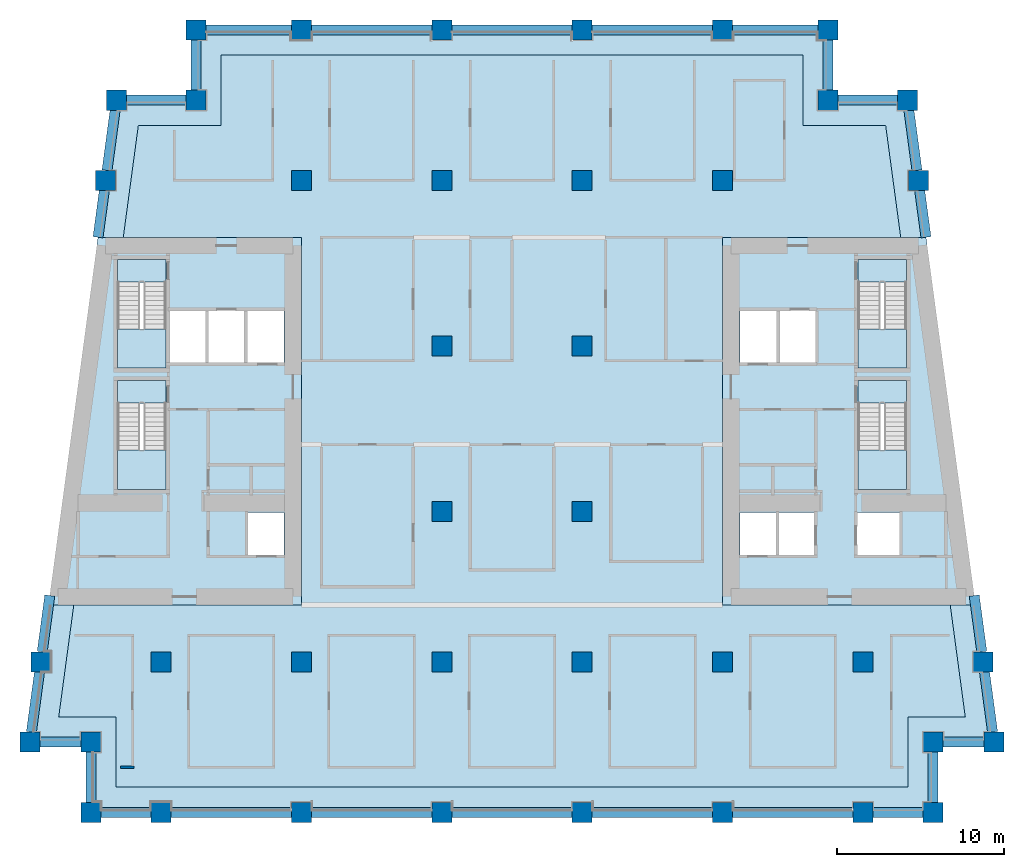
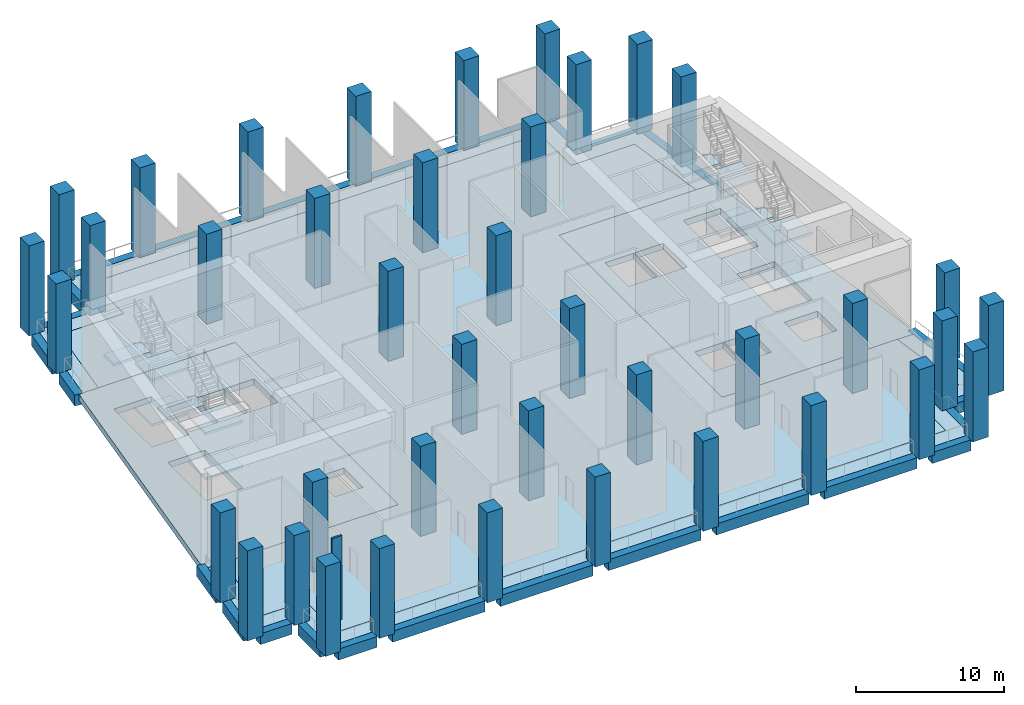
# One storey, part 1 of 10: 40 columns, 28 beams, 17 slabs, 1 wall, 4 elements without a shape of their own.
"""IFC4 building model written with IfcOpenShell, lengths in metres."""

from ifc_helpers import new_model, si_unit, direction, frame, frame_2d, origin, origin_2d, place, context, subcontext, project, spatial, polyline, rectangle, outline, extrude, material, layer, layer_set, material_profile, profile_set, type_object, element, aggregate, save


model = new_model("IFC4")

# Units and contexts
model_context = context("Model", 3, precision=1e-05, world=origin(), true_north=direction((0.0, 1.0)))
body_context = subcontext(model_context, "Body", "Model", "MODEL_VIEW")
ifc_project = project(units=[si_unit("LENGTHUNIT", "METRE"), si_unit("AREAUNIT", "SQUARE_METRE"), si_unit("VOLUMEUNIT", "CUBIC_METRE"), si_unit("PLANEANGLEUNIT", "RADIAN"), si_unit("MASSUNIT", "GRAM", prefix="KILO")], contexts=[model_context])

# Site, building, storey
site_placement = place(None, origin())
site = spatial("IfcSite", under=ifc_project, at=site_placement, CompositionType="ELEMENT")
building_placement = place(site_placement, origin())
building = spatial("IfcBuilding", under=site, at=building_placement, Name="Candeia Pilgrim Tower and Theatre", CompositionType="ELEMENT")
storey_placement = place(building_placement, frame((0.0, 0.0, 135.39990234375)))
storey = spatial("IfcBuildingStorey", under=building, at=storey_placement, Name="L32", CompositionType="ELEMENT", Elevation=135.39990234375)

# Columns
ifc_material_1 = material(Name="Concrete C70/85", Category="concrete")
ifc_material_profile_1 = material_profile(ifc_material_1, rectangle(XDim=1.199951171875, YDim=1.199951171875, at=origin_2d()))
ifc_profile_set_1 = profile_set([ifc_material_profile_1], Name="Concrete C70/85")
column_type = type_object("IfcColumnType", Name="RC 1200x1200 C70/85", PredefinedType="COLUMN", material=ifc_profile_set_1)
for number, where, z_axis, x_axis, name in (
    (1, (92.39990234375, 98.0, 0.0), (0.0, 0.0, 1.0), (1.0, 0.0, 0.0), "Column A1"),
    (2, (100.800048828125, 98.0, 0.0), (0.0, 0.0, 1.0), (1.0, 0.0, 0.0), "Column A2"),
    (3, (109.199951171875, 98.0, 0.0), (0.0, 0.0, 1.0), (1.0, 0.0, 0.0), "Column A3"),
    (4, (117.60009765625, 98.0, 0.0), (0.0, 0.0, 1.0), (1.0, 0.0, 0.0), "Column A4"),
    (5, (126.0, 98.0, 0.0), (0.0, 0.0, 1.0), (1.0, 0.0, 0.0), "Column A5"),
    (6, (134.39990234375, 98.0, 0.0), (0.0, 0.0, 1.0), (1.0, 0.0, 0.0), "Column A6"),
    (7, (88.199951171875, 98.0, 0.0), (0.0, 0.0, 1.0), (1.0, 0.0, 0.0), "Column AW"),
    (8, (138.60009765625, 98.0, 0.0), (0.0, 0.0, 1.0), (1.0, 0.0, 0.0), "Column AE"),
    (9, (88.199951171875, 102.199951171875, 0.0), (0.0, 0.0, 1.0), (1.0, 0.0, 0.0), "Column NSW"),
    (10, (138.60009765625, 102.199951171875, 0.0), (0.0, 0.0, 1.0), (1.0, 0.0, 0.0), "Column NSE"),
    (11, (94.5, 140.60009765625, 0.0), (0.0, 0.0, 1.0), (1.0, 0.0, 0.0), "Column NNW"),
    (12, (132.300048828125, 140.60009765625, 0.0), (0.0, 0.0, 1.0), (1.0, 0.0, 0.0), "Column NNE"),
    (13, (84.5654296875, 102.199951171875, 0.0), (0.0, 0.0, 1.0), (1.0, 0.0, 0.0), "Column LSW"),
    (14, (142.234619140625, 102.199951171875, 0.0), (0.0, 0.0, 1.0), (1.0, 0.0, 0.0), "Column LSE"),
    (15, (89.734619140625, 140.60009765625, 0.0), (0.0, 0.0, 1.0), (1.0, 0.0, 0.0), "Column LNW"),
    (16, (137.0654296875, 140.60009765625, 0.0), (0.0, 0.0, 1.0), (1.0, 0.0, 0.0), "Column LNE"),
    (17, (92.39990234375, 107.0, 0.0), (0.0, 0.0, 1.0), (1.0, 0.0, 0.0), "Column B1"),
    (18, (100.800048828125, 107.0, 0.0), (0.0, 0.0, 1.0), (1.0, 0.0, 0.0), "Column B2"),
    (19, (109.199951171875, 107.0, 0.0), (0.0, 0.0, 1.0), (1.0, 0.0, 0.0), "Column B3"),
    (20, (117.60009765625, 107.0, 0.0), (0.0, 0.0, 1.0), (1.0, 0.0, 0.0), "Column B4"),
    (21, (126.0, 107.0, 0.0), (0.0, 0.0, 1.0), (1.0, 0.0, 0.0), "Column B5"),
    (22, (134.39990234375, 107.0, 0.0), (0.0, 0.0, 1.0), (1.0, 0.0, 0.0), "Column B6"),
    (23, (85.21142578125, 107.0, 0.0), (0.0, 0.0, 1.0), (1.0, 0.0, 0.0), "Column BW"),
    (24, (141.58837890625, 107.0, 0.0), (0.0, 0.0, 1.0), (1.0, 0.0, 0.0), "Column BE"),
    (25, (109.199951171875, 116.0, 0.0), (0.0, 0.0, 1.0), (1.0, 0.0, 0.0), "Column C3"),
    (26, (117.60009765625, 116.0, 0.0), (0.0, 0.0, 1.0), (1.0, 0.0, 0.0), "Column C4"),
    (27, (109.199951171875, 125.89990234375, 0.0), (0.0, 0.0, 1.0), (1.0, 0.0, 0.0), "Column D3"),
    (28, (117.60009765625, 125.89990234375, 0.0), (0.0, 0.0, 1.0), (1.0, 0.0, 0.0), "Column D4"),
    (29, (100.800048828125, 135.800048828125, 0.0), (0.0, 0.0, 1.0), (1.0, 0.0, 0.0), "Column E2"),
    (30, (109.199951171875, 135.800048828125, 0.0), (0.0, 0.0, 1.0), (1.0, 0.0, 0.0), "Column E3"),
    (31, (117.60009765625, 135.800048828125, 0.0), (0.0, 0.0, 1.0), (1.0, 0.0, 0.0), "Column E4"),
    (32, (126.0, 135.800048828125, 0.0), (0.0, 0.0, 1.0), (1.0, 0.0, 0.0), "Column E5"),
    (33, (89.08837890625, 135.800048828125, 0.0), (0.0, 0.0, 1.0), (1.0, 0.0, 0.0), "Column EW"),
    (34, (137.71142578125, 135.800048828125, 0.0), (0.0, 0.0, 1.0), (1.0, 0.0, 0.0), "Column EE"),
    (35, (100.800048828125, 144.800048828125, 0.0), (0.0, 0.0, 1.0), (1.0, 0.0, 0.0), "Column F2"),
    (36, (109.199951171875, 144.800048828125, 0.0), (0.0, 0.0, 1.0), (1.0, 0.0, 0.0), "Column F3"),
    (37, (117.60009765625, 144.800048828125, 0.0), (0.0, 0.0, 1.0), (1.0, 0.0, 0.0), "Column F4"),
    (38, (126.0, 144.800048828125, 0.0), (0.0, 0.0, 1.0), (1.0, 0.0, 0.0), "Column F5"),
    (39, (94.5, 144.800048828125, 0.0), (0.0, 0.0, 1.0), (1.0, 0.0, 0.0), "Column FW"),
    (40, (132.300048828125, 144.800048828125, 0.0), (0.0, 0.0, 1.0), (1.0, 0.0, 0.0), "Column FE"),
):
    element("IfcColumn", number, at=place(storey_placement, frame(where, z_axis=z_axis, x_axis=x_axis)), inside=storey, type_object=column_type, Name=name, PredefinedType="COLUMN", context=body_context, shape_type="SweptSolid", body=[
        extrude(rectangle(XDim=1.199951171875, YDim=1.199951171875, at=origin_2d()), origin(), (0.0, 0.0, 1.0), 7.400146484375),
    ])

# Beams
ifc_material_profile_2 = material_profile(ifc_material_1, rectangle(XDim=0.60009765625, YDim=0.89990234375, at=origin_2d()))
ifc_profile_set_2 = profile_set([ifc_material_profile_2], Name="Concrete C70/85")
beam_type = type_object("IfcBeamType", Name="RC 600x900 C70/85", PredefinedType="BEAM", material=ifc_profile_set_2)
beam_1_placement = place(storey_placement, frame((88.800048828125, 98.0, -0.449951171875), z_axis=(1.0, 0.0, 0.0), x_axis=(0.0, 1.0, 0.0)))
element("IfcBeam", 41, at=beam_1_placement, inside=storey, type_object=beam_type, Name="Spandrel beam L32-01", PredefinedType="BEAM", context=body_context, shape_type="SweptSolid", body=[
    extrude(rectangle(XDim=0.60009765625, YDim=0.89990234375, at=origin_2d()), origin(), (0.0, 0.0, 1.0), 3.0),
])
beam_2_placement = place(storey_placement, frame((93.0, 98.0, -0.449951171875), z_axis=(1.0, 0.0, 0.0), x_axis=(0.0, 1.0, 0.0)))
element("IfcBeam", 42, at=beam_2_placement, inside=storey, type_object=beam_type, Name="Spandrel beam L32-02", PredefinedType="BEAM", context=body_context, shape_type="SweptSolid", body=[
    extrude(rectangle(XDim=0.60009765625, YDim=0.89990234375, at=origin_2d()), origin(), (0.0, 0.0, 1.0), 7.199951171875),
])
beam_3_placement = place(storey_placement, frame((101.39990234375, 98.0, -0.449951171875), z_axis=(1.0, 0.0, 0.0), x_axis=(0.0, 1.0, 0.0)))
element("IfcBeam", 43, at=beam_3_placement, inside=storey, type_object=beam_type, Name="Spandrel beam L32-03", PredefinedType="BEAM", context=body_context, shape_type="SweptSolid", body=[
    extrude(rectangle(XDim=0.60009765625, YDim=0.89990234375, at=origin_2d()), origin(), (0.0, 0.0, 1.0), 7.2001953125),
])
for number, where, z_axis, x_axis, name in (
    (44, (109.800048828125, 98.0, -0.449951171875), (1.0, 0.0, 0.0), (0.0, 1.0, 0.0), "Spandrel beam L32-04"),
    (45, (118.199951171875, 98.0, -0.449951171875), (1.0, 0.0, 0.0), (0.0, 1.0, 0.0), "Spandrel beam L32-05"),
    (46, (126.60009765625, 98.0, -0.449951171875), (1.0, 0.0, 0.0), (0.0, 1.0, 0.0), "Spandrel beam L32-06"),
):
    element("IfcBeam", number, at=place(storey_placement, frame(where, z_axis=z_axis, x_axis=x_axis)), inside=storey, type_object=beam_type, Name=name, PredefinedType="BEAM", context=body_context, shape_type="SweptSolid", body=[
        extrude(rectangle(XDim=0.60009765625, YDim=0.89990234375, at=origin_2d()), origin(), (0.0, 0.0, 1.0), 7.199951171875),
    ])
for number, where, z_axis, x_axis, name in (
    (47, (135.0, 98.0, -0.449951171875), (1.0, 0.0, 0.0), (0.0, 1.0, 0.0), "Spandrel beam L32-07"),
    (48, (138.60009765625, 98.60009765625, -0.449951171875), (0.0, 1.0, 0.0), (-1.0, 0.0, 0.0), "Spandrel beam L32-08"),
):
    element("IfcBeam", number, at=place(storey_placement, frame(where, z_axis=z_axis, x_axis=x_axis)), inside=storey, type_object=beam_type, Name=name, PredefinedType="BEAM", context=body_context, shape_type="SweptSolid", body=[
        extrude(rectangle(XDim=0.60009765625, YDim=0.89990234375, at=origin_2d()), origin(), (0.0, 0.0, 1.0), 3.0),
    ])
beam_4_placement = place(storey_placement, frame((139.199951171875, 102.199951171875, -0.449951171875), z_axis=(1.0, 0.0, 0.0), x_axis=(0.0, 1.0, 0.0)))
element("IfcBeam", 49, at=beam_4_placement, inside=storey, type_object=beam_type, Name="Spandrel beam L32-09", PredefinedType="BEAM", context=body_context, shape_type="SweptSolid", body=[
    extrude(rectangle(XDim=0.60009765625, YDim=0.89990234375, at=origin_2d()), origin(), (0.0, 0.0, 1.0), 2.4345703125),
])
beam_5_placement = place(storey_placement, frame((142.15380859375, 102.800048828125, -0.449951171875), z_axis=(-0.133418359924, 0.991059807093, 0.0), x_axis=(-0.991059807093, -0.133418359924, 0.0)))
element("IfcBeam", 50, at=beam_5_placement, inside=storey, type_object=beam_type, Name="Spandrel beam L32-10", PredefinedType="BEAM", context=body_context, shape_type="SweptSolid", body=[
    extrude(rectangle(XDim=0.60009765625, YDim=0.89990234375, at=origin_2d()), origin(), (0.0, 0.0, 1.0), 3.63232421875),
])
beam_6_placement = place(storey_placement, frame((141.5078125, 107.60009765625, -0.449951171875), z_axis=(-0.133458165992, 0.99105444751, 0.0), x_axis=(-0.99105444751, -0.133458165992, 0.0)))
element("IfcBeam", 51, at=beam_6_placement, inside=storey, type_object=beam_type, Name="Spandrel beam L32-11", PredefinedType="BEAM", context=body_context, shape_type="SweptSolid", body=[
    extrude(rectangle(XDim=0.60009765625, YDim=0.89990234375, at=origin_2d()), origin(), (0.0, 0.0, 1.0), 3.39697265625),
])
beam_7_placement = place(storey_placement, frame((138.169189453125, 132.39990234375, -0.449951171875), z_axis=(-0.133420173099, 0.991059562998, 0.0), x_axis=(-0.991059562998, -0.133420173099, 0.0)))
element("IfcBeam", 52, at=beam_7_placement, inside=storey, type_object=beam_type, Name="Spandrel beam L32-12", PredefinedType="BEAM", context=body_context, shape_type="SweptSolid", body=[
    extrude(rectangle(XDim=0.60009765625, YDim=0.89990234375, at=origin_2d()), origin(), (0.0, 0.0, 1.0), 2.8251953125),
])
beam_8_placement = place(storey_placement, frame((137.630859375, 136.39990234375, -0.449951171875), z_axis=(-0.133409473196, 0.991061003401, 0.0), x_axis=(-0.991061003401, -0.133409473196, 0.0)))
element("IfcBeam", 53, at=beam_8_placement, inside=storey, type_object=beam_type, Name="Spandrel beam L32-13", PredefinedType="BEAM", context=body_context, shape_type="SweptSolid", body=[
    extrude(rectangle(XDim=0.60009765625, YDim=0.89990234375, at=origin_2d()), origin(), (0.0, 0.0, 1.0), 3.632568359375),
])
beam_9_placement = place(storey_placement, frame((136.46533203125, 140.60009765625, -0.449951171875), z_axis=(-1.0, 0.0, 0.0), x_axis=(0.0, -1.0, 0.0)))
element("IfcBeam", 54, at=beam_9_placement, inside=storey, type_object=beam_type, Name="Spandrel beam L32-14", PredefinedType="BEAM", context=body_context, shape_type="SweptSolid", body=[
    extrude(rectangle(XDim=0.60009765625, YDim=0.89990234375, at=origin_2d()), origin(), (0.0, 0.0, 1.0), 3.5654296875),
])
beam_10_placement = place(storey_placement, frame((132.300048828125, 141.199951171875, -0.449951171875), z_axis=(0.0, 1.0, 0.0), x_axis=(-1.0, 0.0, 0.0)))
element("IfcBeam", 55, at=beam_10_placement, inside=storey, type_object=beam_type, Name="Spandrel beam L32-15", PredefinedType="BEAM", context=body_context, shape_type="SweptSolid", body=[
    extrude(rectangle(XDim=0.60009765625, YDim=0.89990234375, at=origin_2d()), origin(), (0.0, 0.0, 1.0), 3.0),
])
beam_11_placement = place(storey_placement, frame((131.699951171875, 144.800048828125, -0.449951171875), z_axis=(-1.0, 0.0, 0.0), x_axis=(0.0, -1.0, 0.0)))
element("IfcBeam", 56, at=beam_11_placement, inside=storey, type_object=beam_type, Name="Spandrel beam L32-16", PredefinedType="BEAM", context=body_context, shape_type="SweptSolid", body=[
    extrude(rectangle(XDim=0.60009765625, YDim=0.89990234375, at=origin_2d()), origin(), (0.0, 0.0, 1.0), 5.099853515625),
])
for number, where, z_axis, x_axis, name in (
    (57, (125.39990234375, 144.800048828125, -0.449951171875), (-1.0, 0.0, 0.0), (0.0, -1.0, 0.0), "Spandrel beam L32-17"),
    (58, (117.0, 144.800048828125, -0.449951171875), (-1.0, 0.0, 0.0), (0.0, -1.0, 0.0), "Spandrel beam L32-18"),
):
    element("IfcBeam", number, at=place(storey_placement, frame(where, z_axis=z_axis, x_axis=x_axis)), inside=storey, type_object=beam_type, Name=name, PredefinedType="BEAM", context=body_context, shape_type="SweptSolid", body=[
        extrude(rectangle(XDim=0.60009765625, YDim=0.89990234375, at=origin_2d()), origin(), (0.0, 0.0, 1.0), 7.199951171875),
    ])
beam_12_placement = place(storey_placement, frame((108.60009765625, 144.800048828125, -0.449951171875), z_axis=(-1.0, 0.0, 0.0), x_axis=(0.0, -1.0, 0.0)))
element("IfcBeam", 59, at=beam_12_placement, inside=storey, type_object=beam_type, Name="Spandrel beam L32-19", PredefinedType="BEAM", context=body_context, shape_type="SweptSolid", body=[
    extrude(rectangle(XDim=0.60009765625, YDim=0.89990234375, at=origin_2d()), origin(), (0.0, 0.0, 1.0), 7.2001953125),
])
beam_13_placement = place(storey_placement, frame((100.199951171875, 144.800048828125, -0.449951171875), z_axis=(-1.0, 0.0, 0.0), x_axis=(0.0, -1.0, 0.0)))
element("IfcBeam", 60, at=beam_13_placement, inside=storey, type_object=beam_type, Name="Spandrel beam L32-20", PredefinedType="BEAM", context=body_context, shape_type="SweptSolid", body=[
    extrude(rectangle(XDim=0.60009765625, YDim=0.89990234375, at=origin_2d()), origin(), (0.0, 0.0, 1.0), 5.099853515625),
])
beam_14_placement = place(storey_placement, frame((94.5, 144.199951171875, -0.449951171875), z_axis=(0.0, -1.0, 0.0), x_axis=(1.0, 0.0, 0.0)))
element("IfcBeam", 61, at=beam_14_placement, inside=storey, type_object=beam_type, Name="Spandrel beam L32-21", PredefinedType="BEAM", context=body_context, shape_type="SweptSolid", body=[
    extrude(rectangle(XDim=0.60009765625, YDim=0.89990234375, at=origin_2d()), origin(), (0.0, 0.0, 1.0), 3.0),
])
beam_15_placement = place(storey_placement, frame((93.89990234375, 140.60009765625, -0.449951171875), z_axis=(-1.0, 0.0, 0.0), x_axis=(0.0, -1.0, 0.0)))
element("IfcBeam", 62, at=beam_15_placement, inside=storey, type_object=beam_type, Name="Spandrel beam L32-22", PredefinedType="BEAM", context=body_context, shape_type="SweptSolid", body=[
    extrude(rectangle(XDim=0.60009765625, YDim=0.89990234375, at=origin_2d()), origin(), (0.0, 0.0, 1.0), 3.565185546875),
])
beam_16_placement = place(storey_placement, frame((89.65380859375, 140.0, -0.449951171875), z_axis=(-0.133409473196, -0.991061003401, 0.0), x_axis=(0.991061003401, -0.133409473196, 0.0)))
element("IfcBeam", 63, at=beam_16_placement, inside=storey, type_object=beam_type, Name="Spandrel beam L32-23", PredefinedType="BEAM", context=body_context, shape_type="SweptSolid", body=[
    extrude(rectangle(XDim=0.60009765625, YDim=0.89990234375, at=origin_2d()), origin(), (0.0, 0.0, 1.0), 3.632568359375),
])
beam_17_placement = place(storey_placement, frame((89.0078125, 135.199951171875, -0.449951171875), z_axis=(-0.133420173099, -0.991059562998, 0.0), x_axis=(0.991059562998, -0.133420173099, 0.0)))
element("IfcBeam", 64, at=beam_17_placement, inside=storey, type_object=beam_type, Name="Spandrel beam L32-24", PredefinedType="BEAM", context=body_context, shape_type="SweptSolid", body=[
    extrude(rectangle(XDim=0.60009765625, YDim=0.89990234375, at=origin_2d()), origin(), (0.0, 0.0, 1.0), 2.8251953125),
])
beam_18_placement = place(storey_placement, frame((85.74560546875, 110.966796875, -0.449951171875), z_axis=(-0.133458165992, -0.99105444751, 0.0), x_axis=(0.99105444751, -0.133458165992, 0.0)))
element("IfcBeam", 65, at=beam_18_placement, inside=storey, type_object=beam_type, Name="Spandrel beam L32-25", PredefinedType="BEAM", context=body_context, shape_type="SweptSolid", body=[
    extrude(rectangle(XDim=0.60009765625, YDim=0.89990234375, at=origin_2d()), origin(), (0.0, 0.0, 1.0), 3.39697265625),
])
beam_19_placement = place(storey_placement, frame((85.130859375, 106.39990234375, -0.449951171875), z_axis=(-0.133418359924, -0.991059807093, 0.0), x_axis=(0.991059807093, -0.133418359924, 0.0)))
element("IfcBeam", 66, at=beam_19_placement, inside=storey, type_object=beam_type, Name="Spandrel beam L32-26", PredefinedType="BEAM", context=body_context, shape_type="SweptSolid", body=[
    extrude(rectangle(XDim=0.60009765625, YDim=0.89990234375, at=origin_2d()), origin(), (0.0, 0.0, 1.0), 3.63232421875),
])
beam_20_placement = place(storey_placement, frame((85.165283203125, 102.199951171875, -0.449951171875), z_axis=(1.0, 0.0, 0.0), x_axis=(0.0, 1.0, 0.0)))
element("IfcBeam", 67, at=beam_20_placement, inside=storey, type_object=beam_type, Name="Spandrel beam L32-27", PredefinedType="BEAM", context=body_context, shape_type="SweptSolid", body=[
    extrude(rectangle(XDim=0.60009765625, YDim=0.89990234375, at=origin_2d()), origin(), (0.0, 0.0, 1.0), 2.434814453125),
])
beam_21_placement = place(storey_placement, frame((88.199951171875, 101.60009765625, -0.449951171875), z_axis=(0.0, -1.0, 0.0), x_axis=(1.0, 0.0, 0.0)))
element("IfcBeam", 68, at=beam_21_placement, inside=storey, type_object=beam_type, Name="Spandrel beam L32-28", PredefinedType="BEAM", context=body_context, shape_type="SweptSolid", body=[
    extrude(rectangle(XDim=0.60009765625, YDim=0.89990234375, at=origin_2d()), origin(), (0.0, 0.0, 1.0), 3.0),
])

# Slabs
ifc_material_2 = material(Name="Concrete C60/75", Category="concrete")
ifc_layer_1 = layer(ifc_material_2, 0.5)
ifc_layer_set_1 = layer_set([ifc_layer_1], Name="FS-CORE 500 core floor")
slab_type_1 = type_object("IfcSlabType", Name="FS-CORE 500 core floor", PredefinedType="FLOOR", material=ifc_layer_set_1)
slab_1_placement = place(storey_placement, frame((0.0, 0.0, -0.5)))
element("IfcSlab", 69, at=slab_1_placement, inside=storey, type_object=slab_type_1, Name="Core floor W L32", PredefinedType="FLOOR", context=body_context, shape_type="SweptSolid", body=[
    extrude(outline(polyline([(100.800048828125, 132.39990234375), (100.800048828125, 110.39990234375), (85.669189453125, 110.39990234375), (88.630859375, 132.39990234375), (100.800048828125, 132.39990234375)]), holes=[polyline([(97.525634765625, 128.050048828125), (97.525634765625, 124.85009765625), (99.75, 124.85009765625), (99.75, 128.050048828125), (97.525634765625, 128.050048828125)]), polyline([(97.5634765625, 113.35009765625), (99.75, 113.35009765625), (99.75, 115.949951171875), (97.5634765625, 115.949951171875), (97.5634765625, 113.35009765625)]), polyline([(95.201416015625, 124.85009765625), (97.42578125, 124.85009765625), (97.42578125, 128.050048828125), (95.201416015625, 128.050048828125), (95.201416015625, 124.85009765625)]), polyline([(92.876953125, 128.050048828125), (92.876953125, 124.85009765625), (95.101318359375, 124.85009765625), (95.101318359375, 128.050048828125), (92.876953125, 128.050048828125)]), polyline([(89.802001953125, 122.455078125), (89.802001953125, 117.324951171875), (92.701904296875, 117.324951171875), (92.701904296875, 122.455078125), (89.802001953125, 122.455078125)]), polyline([(89.802001953125, 129.705078125), (89.802001953125, 124.574951171875), (92.701904296875, 124.574951171875), (92.701904296875, 129.705078125), (89.802001953125, 129.705078125)])]), origin(), (0.0, 0.0, 1.0), 0.5),
])
slab_2_placement = place(storey_placement, frame((0.0, 0.0, -0.5)))
element("IfcSlab", 70, at=slab_2_placement, inside=storey, type_object=slab_type_1, Name="Core floor E L32", PredefinedType="FLOOR", context=body_context, shape_type="SweptSolid", body=[
    extrude(outline(polyline([(138.169189453125, 132.39990234375), (141.130859375, 110.39990234375), (126.0, 110.39990234375), (126.0, 132.39990234375), (138.169189453125, 132.39990234375)]), holes=[polyline([(134.097900390625, 122.455078125), (134.097900390625, 117.324951171875), (136.998046875, 117.324951171875), (136.998046875, 122.455078125), (134.097900390625, 122.455078125)]), polyline([(134.097900390625, 129.705078125), (134.097900390625, 124.574951171875), (136.998046875, 124.574951171875), (136.998046875, 129.705078125), (134.097900390625, 129.705078125)]), polyline([(136.6220703125, 115.949951171875), (134.02294921875, 115.949951171875), (134.02294921875, 113.35009765625), (136.6220703125, 113.35009765625), (136.6220703125, 115.949951171875)]), polyline([(131.5986328125, 128.050048828125), (129.374267578125, 128.050048828125), (129.374267578125, 124.85009765625), (131.5986328125, 124.85009765625), (131.5986328125, 128.050048828125)]), polyline([(131.52294921875, 115.949951171875), (129.33642578125, 115.949951171875), (129.33642578125, 113.35009765625), (131.52294921875, 113.35009765625), (131.52294921875, 115.949951171875)]), polyline([(129.2744140625, 128.050048828125), (127.050048828125, 128.050048828125), (127.050048828125, 124.85009765625), (129.2744140625, 124.85009765625), (129.2744140625, 128.050048828125)]), polyline([(127.050048828125, 115.949951171875), (127.050048828125, 113.35009765625), (129.236572265625, 113.35009765625), (129.236572265625, 115.949951171875), (127.050048828125, 115.949951171875)])]), origin(), (0.0, 0.0, 1.0), 0.5),
])
ifc_material_3 = material(Name="Concrete C40/50", Category="concrete")
ifc_layer_2 = layer(ifc_material_3, 0.5)
ifc_layer_set_2 = layer_set([ifc_layer_2], Name="Floor slab 500 C40/50")
slab_type_2 = type_object("IfcSlabType", Name="Floor slab 500 C40/50", PredefinedType="FLOOR", material=ifc_layer_set_2)
slab_3_placement = place(storey_placement, frame((0.0, 0.0, -0.5)))
element("IfcSlab", 71, at=slab_3_placement, inside=storey, type_object=slab_type_2, Name="Floor slab L32", PredefinedType="FLOOR", context=body_context, shape_type="SweptSolid", body=[
    extrude(outline(polyline([(96.0, 139.10009765625), (96.0, 143.300048828125), (130.800048828125, 143.300048828125), (130.800048828125, 139.10009765625), (135.753662109375, 139.10009765625), (136.65576171875, 132.39990234375), (126.0, 132.39990234375), (126.0, 110.39990234375), (139.6171875, 110.39990234375), (140.51904296875, 103.699951171875), (137.10009765625, 103.699951171875), (137.10009765625, 99.5), (89.699951171875, 99.5), (89.699951171875, 103.699951171875), (86.28076171875, 103.699951171875), (87.182861328125, 110.39990234375), (100.800048828125, 110.39990234375), (100.800048828125, 132.39990234375), (90.144287109375, 132.39990234375), (91.046142578125, 139.10009765625), (96.0, 139.10009765625)])), origin(), (0.0, 0.0, 1.0), 0.5),
])
ifc_layer_3 = layer(ifc_material_3, 0.25)
ifc_layer_set_3 = layer_set([ifc_layer_3], Name="Loggia slab 250 C40/50")
slab_type_3 = type_object("IfcSlabType", Name="Loggia slab 250 C40/50", PredefinedType="FLOOR", material=ifc_layer_set_3)
slab_4_placement = place(storey_placement, frame((0.0, 0.0, -0.25)))
element("IfcSlab", 72, at=slab_4_placement, inside=storey, type_object=slab_type_3, Name="Loggia slab L32 1", PredefinedType="FLOOR", context=body_context, shape_type="SweptSolid", body=[
    extrude(outline(polyline([(87.182861328125, 110.39990234375), (86.28076171875, 103.699951171875), (89.699951171875, 103.699951171875), (89.699951171875, 99.5), (137.10009765625, 99.5), (137.10009765625, 103.699951171875), (140.51904296875, 103.699951171875), (139.6171875, 110.39990234375), (140.828125, 110.39990234375), (141.8916015625, 102.5), (138.300048828125, 102.5), (138.300048828125, 98.300048828125), (88.5, 98.300048828125), (88.5, 102.5), (84.908447265625, 102.5), (85.971923828125, 110.39990234375), (87.182861328125, 110.39990234375)])), origin(), (0.0, 0.0, 1.0), 0.25),
])
slab_5_placement = place(storey_placement, frame((0.0, 0.0, -0.25)))
element("IfcSlab", 73, at=slab_5_placement, inside=storey, type_object=slab_type_3, Name="Loggia slab L32 2", PredefinedType="FLOOR", context=body_context, shape_type="SweptSolid", body=[
    extrude(outline(polyline([(136.65576171875, 132.39990234375), (135.753662109375, 139.10009765625), (130.800048828125, 139.10009765625), (130.800048828125, 143.300048828125), (96.0, 143.300048828125), (96.0, 139.10009765625), (91.046142578125, 139.10009765625), (90.144287109375, 132.39990234375), (88.93359375, 132.39990234375), (89.996826171875, 140.300048828125), (94.800048828125, 140.300048828125), (94.800048828125, 144.5), (132.0, 144.5), (132.0, 140.300048828125), (136.802978515625, 140.300048828125), (137.866455078125, 132.39990234375), (136.65576171875, 132.39990234375)])), origin(), (0.0, 0.0, 1.0), 0.25),
])

# Stair, slabs
stair_type = type_object("IfcStairType", Name="ST-TWR dog-leg escape stair", PredefinedType="HALF_TURN_STAIR", material=ifc_material_3)
stair_1_placement = place(storey_placement, origin())
stair_1 = element("IfcStair", 74, at=stair_1_placement, inside=storey, type_object=stair_type, Name="L32 Escape stair ST1", PredefinedType="HALF_TURN_STAIR")
ifc_layer_4 = layer(ifc_material_3, 0.199951171875)
ifc_layer_set_4 = layer_set([ifc_layer_4], Name="SL-LANDING stair landing")
slab_type_4 = type_object("IfcSlabType", Name="SL-LANDING stair landing", PredefinedType="LANDING", material=ifc_layer_set_4)
slab_6_placement = place(storey_placement, frame((0.0, 0.0, 1.650146484375)))
slab_6 = element("IfcSlab", 75, at=slab_6_placement, type_object=slab_type_4, Name="ST1 landing 1", PredefinedType="LANDING", context=body_context, shape_type="SweptSolid", body=[
    extrude(outline(polyline([(89.802001953125, 119.675048828125), (89.802001953125, 117.324951171875), (92.701904296875, 117.324951171875), (92.701904296875, 119.675048828125), (89.802001953125, 119.675048828125)])), origin(), (0.0, 0.0, 1.0), 0.199951171875),
])
slab_7_placement = place(storey_placement, frame((0.0, 0.0, 3.5)))
slab_7 = element("IfcSlab", 76, at=slab_7_placement, type_object=slab_type_4, Name="ST1 landing 2", PredefinedType="LANDING", context=body_context, shape_type="SweptSolid", body=[
    extrude(outline(polyline([(89.802001953125, 123.824951171875), (89.802001953125, 122.47509765625), (92.701904296875, 122.47509765625), (92.701904296875, 123.824951171875), (89.802001953125, 123.824951171875)])), origin(), (0.0, 0.0, 1.0), 0.2001953125),
])
slab_8_placement = place(storey_placement, frame((0.0, 0.0, 5.35009765625)))
slab_8 = element("IfcSlab", 77, at=slab_8_placement, type_object=slab_type_4, Name="ST1 landing 3", PredefinedType="LANDING", context=body_context, shape_type="SweptSolid", body=[
    extrude(outline(polyline([(89.802001953125, 119.675048828125), (89.802001953125, 117.324951171875), (92.701904296875, 117.324951171875), (92.701904296875, 119.675048828125), (89.802001953125, 119.675048828125)])), origin(), (0.0, 0.0, 1.0), 0.199951171875),
])
aggregate(stair_1, [slab_6, slab_7, slab_8])

stair_2_placement = place(storey_placement, origin())
stair_2 = element("IfcStair", 78, at=stair_2_placement, inside=storey, type_object=stair_type, Name="L32 Escape stair ST2", PredefinedType="HALF_TURN_STAIR")
slab_9_placement = place(storey_placement, frame((0.0, 0.0, 1.650146484375)))
slab_9 = element("IfcSlab", 79, at=slab_9_placement, type_object=slab_type_4, Name="ST2 landing 1", PredefinedType="LANDING", context=body_context, shape_type="SweptSolid", body=[
    extrude(outline(polyline([(89.802001953125, 126.925048828125), (89.802001953125, 124.574951171875), (92.701904296875, 124.574951171875), (92.701904296875, 126.925048828125), (89.802001953125, 126.925048828125)])), origin(), (0.0, 0.0, 1.0), 0.199951171875),
])
slab_10_placement = place(storey_placement, frame((0.0, 0.0, 3.5)))
slab_10 = element("IfcSlab", 80, at=slab_10_placement, type_object=slab_type_4, Name="ST2 landing 2", PredefinedType="LANDING", context=body_context, shape_type="SweptSolid", body=[
    extrude(outline(polyline([(89.802001953125, 131.074951171875), (89.802001953125, 129.72509765625), (92.701904296875, 129.72509765625), (92.701904296875, 131.074951171875), (89.802001953125, 131.074951171875)])), origin(), (0.0, 0.0, 1.0), 0.2001953125),
])
slab_11_placement = place(storey_placement, frame((0.0, 0.0, 5.35009765625)))
slab_11 = element("IfcSlab", 81, at=slab_11_placement, type_object=slab_type_4, Name="ST2 landing 3", PredefinedType="LANDING", context=body_context, shape_type="SweptSolid", body=[
    extrude(outline(polyline([(89.802001953125, 126.925048828125), (89.802001953125, 124.574951171875), (92.701904296875, 124.574951171875), (92.701904296875, 126.925048828125), (89.802001953125, 126.925048828125)])), origin(), (0.0, 0.0, 1.0), 0.199951171875),
])
aggregate(stair_2, [slab_9, slab_10, slab_11])

stair_3_placement = place(storey_placement, origin())
stair_3 = element("IfcStair", 82, at=stair_3_placement, inside=storey, type_object=stair_type, Name="L32 Escape stair ST3", PredefinedType="HALF_TURN_STAIR")
slab_12_placement = place(storey_placement, frame((0.0, 0.0, 1.650146484375)))
slab_12 = element("IfcSlab", 83, at=slab_12_placement, type_object=slab_type_4, Name="ST3 landing 1", PredefinedType="LANDING", context=body_context, shape_type="SweptSolid", body=[
    extrude(outline(polyline([(134.097900390625, 119.675048828125), (134.097900390625, 117.324951171875), (136.998046875, 117.324951171875), (136.998046875, 119.675048828125), (134.097900390625, 119.675048828125)])), origin(), (0.0, 0.0, 1.0), 0.199951171875),
])
slab_13_placement = place(storey_placement, frame((0.0, 0.0, 3.5)))
slab_13 = element("IfcSlab", 84, at=slab_13_placement, type_object=slab_type_4, Name="ST3 landing 2", PredefinedType="LANDING", context=body_context, shape_type="SweptSolid", body=[
    extrude(outline(polyline([(134.097900390625, 123.824951171875), (134.097900390625, 122.47509765625), (136.998046875, 122.47509765625), (136.998046875, 123.824951171875), (134.097900390625, 123.824951171875)])), origin(), (0.0, 0.0, 1.0), 0.2001953125),
])
slab_14_placement = place(storey_placement, frame((0.0, 0.0, 5.35009765625)))
slab_14 = element("IfcSlab", 85, at=slab_14_placement, type_object=slab_type_4, Name="ST3 landing 3", PredefinedType="LANDING", context=body_context, shape_type="SweptSolid", body=[
    extrude(outline(polyline([(134.097900390625, 119.675048828125), (134.097900390625, 117.324951171875), (136.998046875, 117.324951171875), (136.998046875, 119.675048828125), (134.097900390625, 119.675048828125)])), origin(), (0.0, 0.0, 1.0), 0.199951171875),
])
aggregate(stair_3, [slab_12, slab_13, slab_14])

stair_4_placement = place(storey_placement, origin())
stair_4 = element("IfcStair", 86, at=stair_4_placement, inside=storey, type_object=stair_type, Name="L32 Escape stair ST4", PredefinedType="HALF_TURN_STAIR")
slab_15_placement = place(storey_placement, frame((0.0, 0.0, 1.650146484375)))
slab_15 = element("IfcSlab", 87, at=slab_15_placement, type_object=slab_type_4, Name="ST4 landing 1", PredefinedType="LANDING", context=body_context, shape_type="SweptSolid", body=[
    extrude(outline(polyline([(134.097900390625, 126.925048828125), (134.097900390625, 124.574951171875), (136.998046875, 124.574951171875), (136.998046875, 126.925048828125), (134.097900390625, 126.925048828125)])), origin(), (0.0, 0.0, 1.0), 0.199951171875),
])
slab_16_placement = place(storey_placement, frame((0.0, 0.0, 3.5)))
slab_16 = element("IfcSlab", 88, at=slab_16_placement, type_object=slab_type_4, Name="ST4 landing 2", PredefinedType="LANDING", context=body_context, shape_type="SweptSolid", body=[
    extrude(outline(polyline([(134.097900390625, 131.074951171875), (134.097900390625, 129.72509765625), (136.998046875, 129.72509765625), (136.998046875, 131.074951171875), (134.097900390625, 131.074951171875)])), origin(), (0.0, 0.0, 1.0), 0.2001953125),
])
slab_17_placement = place(storey_placement, frame((0.0, 0.0, 5.35009765625)))
slab_17 = element("IfcSlab", 89, at=slab_17_placement, type_object=slab_type_4, Name="ST4 landing 3", PredefinedType="LANDING", context=body_context, shape_type="SweptSolid", body=[
    extrude(outline(polyline([(134.097900390625, 126.925048828125), (134.097900390625, 124.574951171875), (136.998046875, 124.574951171875), (136.998046875, 126.925048828125), (134.097900390625, 126.925048828125)])), origin(), (0.0, 0.0, 1.0), 0.199951171875),
])
aggregate(stair_4, [slab_15, slab_16, slab_17])

# Wall
ifc_material_4 = material(Name="Gypsum board partition on steel studs", Category="steel")
ifc_layer_5 = layer(ifc_material_4, 0.14990234375)
ifc_layer_set_5 = layer_set([ifc_layer_5], Name="PW-150 unit wall")
wall_type = type_object("IfcWallType", Name="PW-150 unit wall", PredefinedType="PARTITIONING", material=ifc_layer_set_5)
wall_placement = place(storey_placement, frame((89.989990234375, 100.699951171875, 0.0), z_axis=(0.0, 0.0, 1.0), x_axis=(1.0, 0.0, 0.0)))
element("IfcWall", 90, at=wall_placement, inside=storey, type_object=wall_type, Name="Unit wall L32-001", PredefinedType="PARTITIONING", context=body_context, shape_type="SweptSolid", body=[
    extrude(rectangle(XDim=0.784912109375, YDim=0.14990234375, at=frame_2d((0.392578125, 0.0))), origin(), (0.0, 0.0, 1.0), 6.900146484375),
])

save(model, "model.ifc")
